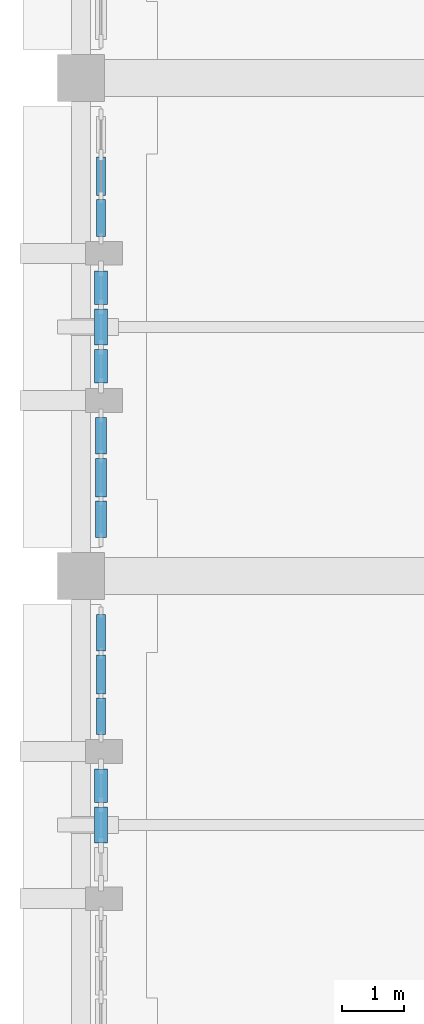
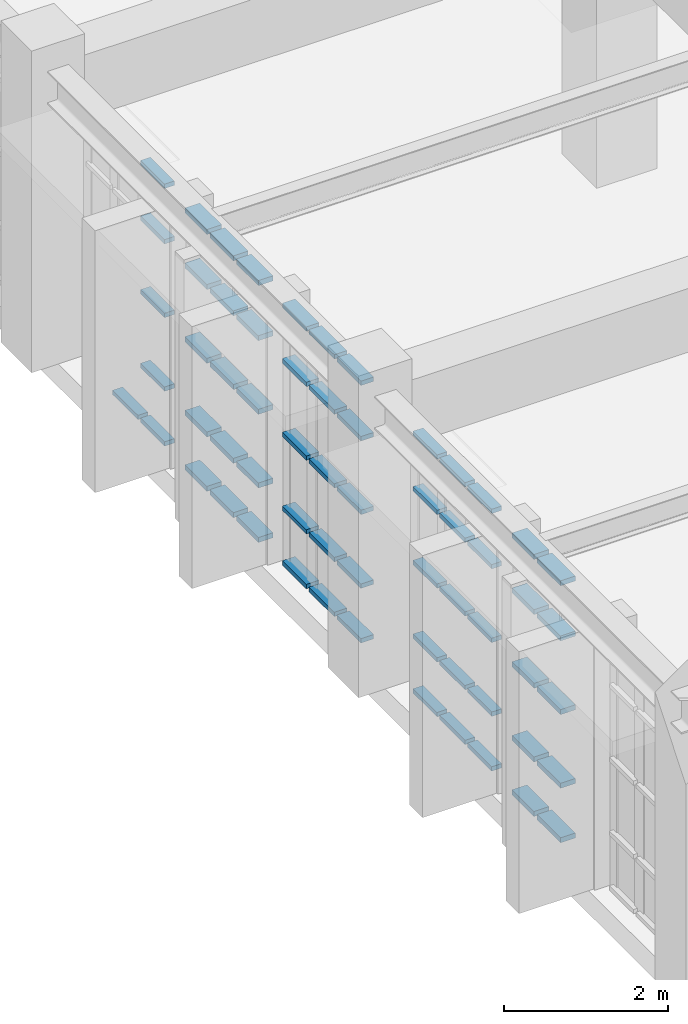
# One storey, part 49 of 155: 61 members, 5 elements without a shape of their own.
"""IFC4 building model written with IfcOpenShell, lengths in metres."""

from ifc_helpers import new_model, si_unit, direction, frame, origin, origin_2d, place, context, subcontext, project, spatial, rectangle, extrude, material, layer, layer_set, material_profile, profile_set, type_object, element, aggregate, save


model = new_model("IFC4")

# Units and contexts
model_context = context("Model", 3, precision=1e-05, world=origin(), true_north=direction((0.0, 1.0)))
body_context = subcontext(model_context, "Body", "Model", "MODEL_VIEW")
ifc_project = project(units=[si_unit("LENGTHUNIT", "METRE"), si_unit("AREAUNIT", "SQUARE_METRE"), si_unit("VOLUMEUNIT", "CUBIC_METRE"), si_unit("PLANEANGLEUNIT", "RADIAN"), si_unit("MASSUNIT", "GRAM", prefix="KILO")], contexts=[model_context])

# Site, building, storey
site_placement = place(None, origin())
site = spatial("IfcSite", under=ifc_project, at=site_placement, CompositionType="ELEMENT")
building_placement = place(site_placement, origin())
building = spatial("IfcBuilding", under=site, at=building_placement, Name="Tazarka Park Arena", CompositionType="ELEMENT")
storey_placement = place(building_placement, frame((0.0, 0.0, 5.39990234375)))
storey = spatial("IfcBuildingStorey", under=building, at=storey_placement, Name="L01", CompositionType="ELEMENT", Elevation=5.39990234375)

# Curtain wall, members
ifc_material_1 = material(Name="Aluminium and low-e glass", Category="aluminium")
ifc_layer_1 = layer(ifc_material_1, 0.179931640625, Name="Aluminium and low-e glass")
ifc_layer_set_1 = layer_set([ifc_layer_1], Name="Aluminium and low-e glass")
curtain_wall_type_1 = type_object("IfcCurtainWallType", Name="CW-03", PredefinedType="NOTDEFINED", material=ifc_layer_set_1)
curtain_wall_1_placement = place(storey_placement, origin())
curtain_wall_1 = element("IfcCurtainWall", 1, at=curtain_wall_1_placement, inside=storey, type_object=curtain_wall_type_1, Name="Curtain Wall CWA-L01-063", PredefinedType="NOTDEFINED")
ifc_material_2 = material(Name="Aluminium 6060-T66", Category="aluminium")
ifc_material_profile_1 = material_profile(ifc_material_2, rectangle(XDim=0.139892578125, YDim=0.06494140625, at=origin_2d()), Name="Aluminium 6060-T66")
ifc_profile_set_1 = profile_set([ifc_material_profile_1], Name="Aluminium 6060-T66")
member_type_1 = type_object("IfcMemberType", Name="CWT-01", PredefinedType="USERDEFINED", material=ifc_profile_set_1)
member_1_placement = place(storey_placement, frame((0.320068359375, 29.456787109375, 0.03271484375), z_axis=(0.0, 1.0, 0.0), x_axis=(-1.0, 0.0, 0.0)))
member_1 = element("IfcMember", 2, at=member_1_placement, type_object=member_type_1, Name="CW-03 transom 1.1", ObjectType="TRANSOM", PredefinedType="USERDEFINED", context=body_context, shape_type="SweptSolid", body=[
    extrude(rectangle(XDim=0.139892578125, YDim=0.06494140625, at=origin_2d()), origin(), (0.0, 0.0, 1.0), 0.5869140625),
])
member_2_placement = place(storey_placement, frame((0.320068359375, 29.456787109375, 0.85009765625), z_axis=(0.0, 1.0, 0.0), x_axis=(-1.0, 0.0, 0.0)))
member_2 = element("IfcMember", 3, at=member_2_placement, type_object=member_type_1, Name="CW-03 transom 1.2", ObjectType="TRANSOM", PredefinedType="USERDEFINED", context=body_context, shape_type="SweptSolid", body=[
    extrude(rectangle(XDim=0.139892578125, YDim=0.06494140625, at=origin_2d()), origin(), (0.0, 0.0, 1.0), 0.5869140625),
])
member_3_placement = place(storey_placement, frame((0.320068359375, 29.456787109375, 1.9501953125), z_axis=(0.0, 1.0, 0.0), x_axis=(-1.0, 0.0, 0.0)))
member_3 = element("IfcMember", 4, at=member_3_placement, type_object=member_type_1, Name="CW-03 transom 1.3", ObjectType="TRANSOM", PredefinedType="USERDEFINED", context=body_context, shape_type="SweptSolid", body=[
    extrude(rectangle(XDim=0.139892578125, YDim=0.06494140625, at=origin_2d()), origin(), (0.0, 0.0, 1.0), 0.5869140625),
])
member_4_placement = place(storey_placement, frame((0.320068359375, 29.456787109375, 3.050048828125), z_axis=(0.0, 1.0, 0.0), x_axis=(-1.0, 0.0, 0.0)))
member_4 = element("IfcMember", 5, at=member_4_placement, type_object=member_type_1, Name="CW-03 transom 1.4", ObjectType="TRANSOM", PredefinedType="USERDEFINED", context=body_context, shape_type="SweptSolid", body=[
    extrude(rectangle(XDim=0.139892578125, YDim=0.06494140625, at=origin_2d()), origin(), (0.0, 0.0, 1.0), 0.5869140625),
])
member_5_placement = place(storey_placement, frame((0.320068359375, 29.456787109375, 3.877685546875), z_axis=(0.0, 1.0, 0.0), x_axis=(-1.0, 0.0, 0.0)))
member_5 = element("IfcMember", 6, at=member_5_placement, type_object=member_type_1, Name="CW-03 transom 1.5", ObjectType="TRANSOM", PredefinedType="USERDEFINED", context=body_context, shape_type="SweptSolid", body=[
    extrude(rectangle(XDim=0.139892578125, YDim=0.06494140625, at=origin_2d()), origin(), (0.0, 0.0, 1.0), 0.5869140625),
])
member_6_placement = place(storey_placement, frame((0.320068359375, 30.108642578125, 0.03271484375), z_axis=(0.0, 1.0, 0.0), x_axis=(-1.0, 0.0, 0.0)))
member_6 = element("IfcMember", 7, at=member_6_placement, type_object=member_type_1, Name="CW-03 transom 2.1", ObjectType="TRANSOM", PredefinedType="USERDEFINED", context=body_context, shape_type="SweptSolid", body=[
    extrude(rectangle(XDim=0.139892578125, YDim=0.06494140625, at=origin_2d()), origin(), (0.0, 0.0, 1.0), 0.619384765625),
])
aggregate(curtain_wall_1, [member_1, member_2, member_3, member_4, member_5, member_6])

ifc_material_3 = material(Name="Aluminium and low-e glass", Category="aluminium")
ifc_layer_2 = layer(ifc_material_3, 0.179931640625, Name="Aluminium and low-e glass")
ifc_layer_set_2 = layer_set([ifc_layer_2], Name="Aluminium and low-e glass")
curtain_wall_type_2 = type_object("IfcCurtainWallType", Name="CW-06", PredefinedType="NOTDEFINED", material=ifc_layer_set_2)
curtain_wall_2_placement = place(storey_placement, origin())
curtain_wall_2 = element("IfcCurtainWall", 8, at=curtain_wall_2_placement, inside=storey, type_object=curtain_wall_type_2, Name="Curtain Wall CWA-L01-066", PredefinedType="NOTDEFINED")
member_7_placement = place(storey_placement, frame((0.320068359375, 21.456787109375, 0.03271484375), z_axis=(0.0, 1.0, 0.0), x_axis=(-1.0, 0.0, 0.0)))
member_7 = element("IfcMember", 9, at=member_7_placement, type_object=member_type_1, Name="CW-06 transom 1.1", ObjectType="TRANSOM", PredefinedType="USERDEFINED", context=body_context, shape_type="SweptSolid", body=[
    extrude(rectangle(XDim=0.139892578125, YDim=0.06494140625, at=origin_2d()), origin(), (0.0, 0.0, 1.0), 0.5869140625),
])
member_8_placement = place(storey_placement, frame((0.320068359375, 21.456787109375, 0.85009765625), z_axis=(0.0, 1.0, 0.0), x_axis=(-1.0, 0.0, 0.0)))
member_8 = element("IfcMember", 10, at=member_8_placement, type_object=member_type_1, Name="CW-06 transom 1.2", ObjectType="TRANSOM", PredefinedType="USERDEFINED", context=body_context, shape_type="SweptSolid", body=[
    extrude(rectangle(XDim=0.139892578125, YDim=0.06494140625, at=origin_2d()), origin(), (0.0, 0.0, 1.0), 0.5869140625),
])
member_9_placement = place(storey_placement, frame((0.320068359375, 21.456787109375, 1.9501953125), z_axis=(0.0, 1.0, 0.0), x_axis=(-1.0, 0.0, 0.0)))
member_9 = element("IfcMember", 11, at=member_9_placement, type_object=member_type_1, Name="CW-06 transom 1.3", ObjectType="TRANSOM", PredefinedType="USERDEFINED", context=body_context, shape_type="SweptSolid", body=[
    extrude(rectangle(XDim=0.139892578125, YDim=0.06494140625, at=origin_2d()), origin(), (0.0, 0.0, 1.0), 0.5869140625),
])
member_10_placement = place(storey_placement, frame((0.320068359375, 21.456787109375, 3.050048828125), z_axis=(0.0, 1.0, 0.0), x_axis=(-1.0, 0.0, 0.0)))
member_10 = element("IfcMember", 12, at=member_10_placement, type_object=member_type_1, Name="CW-06 transom 1.4", ObjectType="TRANSOM", PredefinedType="USERDEFINED", context=body_context, shape_type="SweptSolid", body=[
    extrude(rectangle(XDim=0.139892578125, YDim=0.06494140625, at=origin_2d()), origin(), (0.0, 0.0, 1.0), 0.5869140625),
])
member_11_placement = place(storey_placement, frame((0.320068359375, 21.456787109375, 3.877685546875), z_axis=(0.0, 1.0, 0.0), x_axis=(-1.0, 0.0, 0.0)))
member_11 = element("IfcMember", 13, at=member_11_placement, type_object=member_type_1, Name="CW-06 transom 1.5", ObjectType="TRANSOM", PredefinedType="USERDEFINED", context=body_context, shape_type="SweptSolid", body=[
    extrude(rectangle(XDim=0.139892578125, YDim=0.06494140625, at=origin_2d()), origin(), (0.0, 0.0, 1.0), 0.5869140625),
])
member_12_placement = place(storey_placement, frame((0.320068359375, 22.108642578125, 0.03271484375), z_axis=(0.0, 1.0, 0.0), x_axis=(-1.0, 0.0, 0.0)))
member_12 = element("IfcMember", 14, at=member_12_placement, type_object=member_type_1, Name="CW-06 transom 2.1", ObjectType="TRANSOM", PredefinedType="USERDEFINED", context=body_context, shape_type="SweptSolid", body=[
    extrude(rectangle(XDim=0.139892578125, YDim=0.06494140625, at=origin_2d()), origin(), (0.0, 0.0, 1.0), 0.619384765625),
])
member_13_placement = place(storey_placement, frame((0.320068359375, 22.108642578125, 0.85009765625), z_axis=(0.0, 1.0, 0.0), x_axis=(-1.0, 0.0, 0.0)))
member_13 = element("IfcMember", 15, at=member_13_placement, type_object=member_type_1, Name="CW-06 transom 2.2", ObjectType="TRANSOM", PredefinedType="USERDEFINED", context=body_context, shape_type="SweptSolid", body=[
    extrude(rectangle(XDim=0.139892578125, YDim=0.06494140625, at=origin_2d()), origin(), (0.0, 0.0, 1.0), 0.619384765625),
])
member_14_placement = place(storey_placement, frame((0.320068359375, 22.108642578125, 1.9501953125), z_axis=(0.0, 1.0, 0.0), x_axis=(-1.0, 0.0, 0.0)))
member_14 = element("IfcMember", 16, at=member_14_placement, type_object=member_type_1, Name="CW-06 transom 2.3", ObjectType="TRANSOM", PredefinedType="USERDEFINED", context=body_context, shape_type="SweptSolid", body=[
    extrude(rectangle(XDim=0.139892578125, YDim=0.06494140625, at=origin_2d()), origin(), (0.0, 0.0, 1.0), 0.619384765625),
])
member_15_placement = place(storey_placement, frame((0.320068359375, 22.108642578125, 3.050048828125), z_axis=(0.0, 1.0, 0.0), x_axis=(-1.0, 0.0, 0.0)))
member_15 = element("IfcMember", 17, at=member_15_placement, type_object=member_type_1, Name="CW-06 transom 2.4", ObjectType="TRANSOM", PredefinedType="USERDEFINED", context=body_context, shape_type="SweptSolid", body=[
    extrude(rectangle(XDim=0.139892578125, YDim=0.06494140625, at=origin_2d()), origin(), (0.0, 0.0, 1.0), 0.619384765625),
])
member_16_placement = place(storey_placement, frame((0.320068359375, 22.108642578125, 3.877685546875), z_axis=(0.0, 1.0, 0.0), x_axis=(-1.0, 0.0, 0.0)))
member_16 = element("IfcMember", 18, at=member_16_placement, type_object=member_type_1, Name="CW-06 transom 2.5", ObjectType="TRANSOM", PredefinedType="USERDEFINED", context=body_context, shape_type="SweptSolid", body=[
    extrude(rectangle(XDim=0.139892578125, YDim=0.06494140625, at=origin_2d()), origin(), (0.0, 0.0, 1.0), 0.619384765625),
])
member_17_placement = place(storey_placement, frame((0.320068359375, 22.79296875, 0.03271484375), z_axis=(0.0, 1.0, 0.0), x_axis=(-1.0, 0.0, 0.0)))
member_17 = element("IfcMember", 19, at=member_17_placement, type_object=member_type_1, Name="CW-06 transom 3.1", ObjectType="TRANSOM", PredefinedType="USERDEFINED", context=body_context, shape_type="SweptSolid", body=[
    extrude(rectangle(XDim=0.139892578125, YDim=0.06494140625, at=origin_2d()), origin(), (0.0, 0.0, 1.0), 0.5869140625),
])
member_18_placement = place(storey_placement, frame((0.320068359375, 22.79296875, 0.85009765625), z_axis=(0.0, 1.0, 0.0), x_axis=(-1.0, 0.0, 0.0)))
member_18 = element("IfcMember", 20, at=member_18_placement, type_object=member_type_1, Name="CW-06 transom 3.2", ObjectType="TRANSOM", PredefinedType="USERDEFINED", context=body_context, shape_type="SweptSolid", body=[
    extrude(rectangle(XDim=0.139892578125, YDim=0.06494140625, at=origin_2d()), origin(), (0.0, 0.0, 1.0), 0.5869140625),
])
member_19_placement = place(storey_placement, frame((0.320068359375, 22.79296875, 1.9501953125), z_axis=(0.0, 1.0, 0.0), x_axis=(-1.0, 0.0, 0.0)))
member_19 = element("IfcMember", 21, at=member_19_placement, type_object=member_type_1, Name="CW-06 transom 3.3", ObjectType="TRANSOM", PredefinedType="USERDEFINED", context=body_context, shape_type="SweptSolid", body=[
    extrude(rectangle(XDim=0.139892578125, YDim=0.06494140625, at=origin_2d()), origin(), (0.0, 0.0, 1.0), 0.5869140625),
])
member_20_placement = place(storey_placement, frame((0.320068359375, 22.79296875, 3.050048828125), z_axis=(0.0, 1.0, 0.0), x_axis=(-1.0, 0.0, 0.0)))
member_20 = element("IfcMember", 22, at=member_20_placement, type_object=member_type_1, Name="CW-06 transom 3.4", ObjectType="TRANSOM", PredefinedType="USERDEFINED", context=body_context, shape_type="SweptSolid", body=[
    extrude(rectangle(XDim=0.139892578125, YDim=0.06494140625, at=origin_2d()), origin(), (0.0, 0.0, 1.0), 0.5869140625),
])
member_21_placement = place(storey_placement, frame((0.320068359375, 22.79296875, 3.877685546875), z_axis=(0.0, 1.0, 0.0), x_axis=(-1.0, 0.0, 0.0)))
member_21 = element("IfcMember", 23, at=member_21_placement, type_object=member_type_1, Name="CW-06 transom 3.5", ObjectType="TRANSOM", PredefinedType="USERDEFINED", context=body_context, shape_type="SweptSolid", body=[
    extrude(rectangle(XDim=0.139892578125, YDim=0.06494140625, at=origin_2d()), origin(), (0.0, 0.0, 1.0), 0.5869140625),
])
aggregate(curtain_wall_2, [member_7, member_8, member_9, member_10, member_11, member_12, member_13, member_14, member_15, member_16, member_17, member_18, member_19, member_20, member_21])

ifc_material_4 = material(Name="Aluminium and low-e glass", Category="aluminium")
ifc_layer_3 = layer(ifc_material_4, 0.179931640625, Name="Aluminium and low-e glass")
ifc_layer_set_3 = layer_set([ifc_layer_3], Name="Aluminium and low-e glass")
curtain_wall_type_3 = type_object("IfcCurtainWallType", Name="CW-01", PredefinedType="NOTDEFINED", material=ifc_layer_set_3)
curtain_wall_3_placement = place(storey_placement, origin())
curtain_wall_3 = element("IfcCurtainWall", 24, at=curtain_wall_3_placement, inside=storey, type_object=curtain_wall_type_3, Name="Curtain Wall CWA-L01-061", PredefinedType="NOTDEFINED")
ifc_material_5 = material(Name="Aluminium 6060-T66", Category="aluminium")
ifc_material_profile_2 = material_profile(ifc_material_5, rectangle(XDim=0.179931640625, YDim=0.06494140625, at=origin_2d()), Name="Aluminium 6060-T66")
ifc_profile_set_2 = profile_set([ifc_material_profile_2], Name="Aluminium 6060-T66")
member_type_2 = type_object("IfcMemberType", Name="CWT-02", PredefinedType="USERDEFINED", material=ifc_profile_set_2)
member_22_placement = place(storey_placement, frame((0.320068359375, 24.6201171875, 0.03271484375), z_axis=(0.0, 1.0, 0.0), x_axis=(-1.0, 0.0, 0.0)))
member_22 = element("IfcMember", 25, at=member_22_placement, type_object=member_type_2, Name="CW-01 transom 1.1", ObjectType="TRANSOM", PredefinedType="USERDEFINED", context=body_context, shape_type="SweptSolid", body=[
    extrude(rectangle(XDim=0.179931640625, YDim=0.06494140625, at=origin_2d()), origin(), (0.0, 0.0, 1.0), 0.5869140625),
])
member_23_placement = place(storey_placement, frame((0.320068359375, 24.6201171875, 0.85009765625), z_axis=(0.0, 1.0, 0.0), x_axis=(-1.0, 0.0, 0.0)))
member_23 = element("IfcMember", 26, at=member_23_placement, type_object=member_type_2, Name="CW-01 transom 1.2", ObjectType="TRANSOM", PredefinedType="USERDEFINED", context=body_context, shape_type="SweptSolid", body=[
    extrude(rectangle(XDim=0.179931640625, YDim=0.06494140625, at=origin_2d()), origin(), (0.0, 0.0, 1.0), 0.5869140625),
])
member_24_placement = place(storey_placement, frame((0.320068359375, 24.6201171875, 1.9501953125), z_axis=(0.0, 1.0, 0.0), x_axis=(-1.0, 0.0, 0.0)))
member_24 = element("IfcMember", 27, at=member_24_placement, type_object=member_type_2, Name="CW-01 transom 1.3", ObjectType="TRANSOM", PredefinedType="USERDEFINED", context=body_context, shape_type="SweptSolid", body=[
    extrude(rectangle(XDim=0.179931640625, YDim=0.06494140625, at=origin_2d()), origin(), (0.0, 0.0, 1.0), 0.5869140625),
])
member_25_placement = place(storey_placement, frame((0.320068359375, 24.6201171875, 3.050048828125), z_axis=(0.0, 1.0, 0.0), x_axis=(-1.0, 0.0, 0.0)))
member_25 = element("IfcMember", 28, at=member_25_placement, type_object=member_type_2, Name="CW-01 transom 1.4", ObjectType="TRANSOM", PredefinedType="USERDEFINED", context=body_context, shape_type="SweptSolid", body=[
    extrude(rectangle(XDim=0.179931640625, YDim=0.06494140625, at=origin_2d()), origin(), (0.0, 0.0, 1.0), 0.5869140625),
])
member_26_placement = place(storey_placement, frame((0.320068359375, 24.6201171875, 3.877685546875), z_axis=(0.0, 1.0, 0.0), x_axis=(-1.0, 0.0, 0.0)))
member_26 = element("IfcMember", 29, at=member_26_placement, type_object=member_type_2, Name="CW-01 transom 1.5", ObjectType="TRANSOM", PredefinedType="USERDEFINED", context=body_context, shape_type="SweptSolid", body=[
    extrude(rectangle(XDim=0.179931640625, YDim=0.06494140625, at=origin_2d()), origin(), (0.0, 0.0, 1.0), 0.5869140625),
])
member_27_placement = place(storey_placement, frame((0.320068359375, 25.27197265625, 0.03271484375), z_axis=(0.0, 1.0, 0.0), x_axis=(-1.0, 0.0, 0.0)))
member_27 = element("IfcMember", 30, at=member_27_placement, type_object=member_type_2, Name="CW-01 transom 2.1", ObjectType="TRANSOM", PredefinedType="USERDEFINED", context=body_context, shape_type="SweptSolid", body=[
    extrude(rectangle(XDim=0.179931640625, YDim=0.06494140625, at=origin_2d()), origin(), (0.0, 0.0, 1.0), 0.619384765625),
])
member_28_placement = place(storey_placement, frame((0.320068359375, 25.27197265625, 0.85009765625), z_axis=(0.0, 1.0, 0.0), x_axis=(-1.0, 0.0, 0.0)))
member_28 = element("IfcMember", 31, at=member_28_placement, type_object=member_type_2, Name="CW-01 transom 2.2", ObjectType="TRANSOM", PredefinedType="USERDEFINED", context=body_context, shape_type="SweptSolid", body=[
    extrude(rectangle(XDim=0.179931640625, YDim=0.06494140625, at=origin_2d()), origin(), (0.0, 0.0, 1.0), 0.619384765625),
])
member_29_placement = place(storey_placement, frame((0.320068359375, 25.27197265625, 1.9501953125), z_axis=(0.0, 1.0, 0.0), x_axis=(-1.0, 0.0, 0.0)))
member_29 = element("IfcMember", 32, at=member_29_placement, type_object=member_type_2, Name="CW-01 transom 2.3", ObjectType="TRANSOM", PredefinedType="USERDEFINED", context=body_context, shape_type="SweptSolid", body=[
    extrude(rectangle(XDim=0.179931640625, YDim=0.06494140625, at=origin_2d()), origin(), (0.0, 0.0, 1.0), 0.619384765625),
])
member_30_placement = place(storey_placement, frame((0.320068359375, 25.27197265625, 3.050048828125), z_axis=(0.0, 1.0, 0.0), x_axis=(-1.0, 0.0, 0.0)))
member_30 = element("IfcMember", 33, at=member_30_placement, type_object=member_type_2, Name="CW-01 transom 2.4", ObjectType="TRANSOM", PredefinedType="USERDEFINED", context=body_context, shape_type="SweptSolid", body=[
    extrude(rectangle(XDim=0.179931640625, YDim=0.06494140625, at=origin_2d()), origin(), (0.0, 0.0, 1.0), 0.619384765625),
])
member_31_placement = place(storey_placement, frame((0.320068359375, 25.27197265625, 3.877685546875), z_axis=(0.0, 1.0, 0.0), x_axis=(-1.0, 0.0, 0.0)))
member_31 = element("IfcMember", 34, at=member_31_placement, type_object=member_type_2, Name="CW-01 transom 2.5", ObjectType="TRANSOM", PredefinedType="USERDEFINED", context=body_context, shape_type="SweptSolid", body=[
    extrude(rectangle(XDim=0.179931640625, YDim=0.06494140625, at=origin_2d()), origin(), (0.0, 0.0, 1.0), 0.619384765625),
])
member_32_placement = place(storey_placement, frame((0.320068359375, 25.956298828125, 0.03271484375), z_axis=(0.0, 1.0, 0.0), x_axis=(-1.0, 0.0, 0.0)))
member_32 = element("IfcMember", 35, at=member_32_placement, type_object=member_type_2, Name="CW-01 transom 3.1", ObjectType="TRANSOM", PredefinedType="USERDEFINED", context=body_context, shape_type="SweptSolid", body=[
    extrude(rectangle(XDim=0.179931640625, YDim=0.06494140625, at=origin_2d()), origin(), (0.0, 0.0, 1.0), 0.5869140625),
])
member_33_placement = place(storey_placement, frame((0.320068359375, 25.956298828125, 0.85009765625), z_axis=(0.0, 1.0, 0.0), x_axis=(-1.0, 0.0, 0.0)))
member_33 = element("IfcMember", 36, at=member_33_placement, type_object=member_type_2, Name="CW-01 transom 3.2", ObjectType="TRANSOM", PredefinedType="USERDEFINED", context=body_context, shape_type="SweptSolid", body=[
    extrude(rectangle(XDim=0.179931640625, YDim=0.06494140625, at=origin_2d()), origin(), (0.0, 0.0, 1.0), 0.5869140625),
])
member_34_placement = place(storey_placement, frame((0.320068359375, 25.956298828125, 1.9501953125), z_axis=(0.0, 1.0, 0.0), x_axis=(-1.0, 0.0, 0.0)))
member_34 = element("IfcMember", 37, at=member_34_placement, type_object=member_type_2, Name="CW-01 transom 3.3", ObjectType="TRANSOM", PredefinedType="USERDEFINED", context=body_context, shape_type="SweptSolid", body=[
    extrude(rectangle(XDim=0.179931640625, YDim=0.06494140625, at=origin_2d()), origin(), (0.0, 0.0, 1.0), 0.5869140625),
])
member_35_placement = place(storey_placement, frame((0.320068359375, 25.956298828125, 3.050048828125), z_axis=(0.0, 1.0, 0.0), x_axis=(-1.0, 0.0, 0.0)))
member_35 = element("IfcMember", 38, at=member_35_placement, type_object=member_type_2, Name="CW-01 transom 3.4", ObjectType="TRANSOM", PredefinedType="USERDEFINED", context=body_context, shape_type="SweptSolid", body=[
    extrude(rectangle(XDim=0.179931640625, YDim=0.06494140625, at=origin_2d()), origin(), (0.0, 0.0, 1.0), 0.5869140625),
])
member_36_placement = place(storey_placement, frame((0.320068359375, 25.956298828125, 3.877685546875), z_axis=(0.0, 1.0, 0.0), x_axis=(-1.0, 0.0, 0.0)))
member_36 = element("IfcMember", 39, at=member_36_placement, type_object=member_type_2, Name="CW-01 transom 3.5", ObjectType="TRANSOM", PredefinedType="USERDEFINED", context=body_context, shape_type="SweptSolid", body=[
    extrude(rectangle(XDim=0.179931640625, YDim=0.06494140625, at=origin_2d()), origin(), (0.0, 0.0, 1.0), 0.5869140625),
])
aggregate(curtain_wall_3, [member_22, member_23, member_24, member_25, member_26, member_27, member_28, member_29, member_30, member_31, member_32, member_33, member_34, member_35, member_36])

ifc_material_6 = material(Name="Aluminium and low-e glass", Category="aluminium")
ifc_layer_4 = layer(ifc_material_6, 0.179931640625, Name="Aluminium and low-e glass")
ifc_layer_set_4 = layer_set([ifc_layer_4], Name="Aluminium and low-e glass")
curtain_wall_type_4 = type_object("IfcCurtainWallType", Name="CW-02", PredefinedType="NOTDEFINED", material=ifc_layer_set_4)
curtain_wall_4_placement = place(storey_placement, origin())
curtain_wall_4 = element("IfcCurtainWall", 40, at=curtain_wall_4_placement, inside=storey, type_object=curtain_wall_type_4, Name="Curtain Wall CWA-L01-062", PredefinedType="NOTDEFINED")
ifc_material_7 = material(Name="Aluminium 6060-T66", Category="aluminium")
ifc_material_profile_3 = material_profile(ifc_material_7, rectangle(XDim=0.2099609375, YDim=0.074951171875, at=origin_2d()), Name="Aluminium 6060-T66")
ifc_profile_set_3 = profile_set([ifc_material_profile_3], Name="Aluminium 6060-T66")
member_type_3 = type_object("IfcMemberType", Name="CWT-03", PredefinedType="USERDEFINED", material=ifc_profile_set_3)
member_37_placement = place(storey_placement, frame((0.320068359375, 27.103271484375, 0.03759765625), z_axis=(0.0, 1.0, 0.0), x_axis=(-1.0, 0.0, 0.0)))
member_37 = element("IfcMember", 41, at=member_37_placement, type_object=member_type_3, Name="CW-02 transom 1.1", ObjectType="TRANSOM", PredefinedType="USERDEFINED", context=body_context, shape_type="SweptSolid", body=[
    extrude(rectangle(XDim=0.2099609375, YDim=0.074951171875, at=origin_2d()), origin(), (0.0, 0.0, 1.0), 0.535400390625),
])
member_38_placement = place(storey_placement, frame((0.320068359375, 27.103271484375, 0.85009765625), z_axis=(0.0, 1.0, 0.0), x_axis=(-1.0, 0.0, 0.0)))
member_38 = element("IfcMember", 42, at=member_38_placement, type_object=member_type_3, Name="CW-02 transom 1.2", ObjectType="TRANSOM", PredefinedType="USERDEFINED", context=body_context, shape_type="SweptSolid", body=[
    extrude(rectangle(XDim=0.2099609375, YDim=0.074951171875, at=origin_2d()), origin(), (0.0, 0.0, 1.0), 0.535400390625),
])
member_39_placement = place(storey_placement, frame((0.320068359375, 27.103271484375, 1.9501953125), z_axis=(0.0, 1.0, 0.0), x_axis=(-1.0, 0.0, 0.0)))
member_39 = element("IfcMember", 43, at=member_39_placement, type_object=member_type_3, Name="CW-02 transom 1.3", ObjectType="TRANSOM", PredefinedType="USERDEFINED", context=body_context, shape_type="SweptSolid", body=[
    extrude(rectangle(XDim=0.2099609375, YDim=0.074951171875, at=origin_2d()), origin(), (0.0, 0.0, 1.0), 0.535400390625),
])
member_40_placement = place(storey_placement, frame((0.320068359375, 27.103271484375, 3.050048828125), z_axis=(0.0, 1.0, 0.0), x_axis=(-1.0, 0.0, 0.0)))
member_40 = element("IfcMember", 44, at=member_40_placement, type_object=member_type_3, Name="CW-02 transom 1.4", ObjectType="TRANSOM", PredefinedType="USERDEFINED", context=body_context, shape_type="SweptSolid", body=[
    extrude(rectangle(XDim=0.2099609375, YDim=0.074951171875, at=origin_2d()), origin(), (0.0, 0.0, 1.0), 0.535400390625),
])
member_41_placement = place(storey_placement, frame((0.320068359375, 27.103271484375, 3.87255859375), z_axis=(0.0, 1.0, 0.0), x_axis=(-1.0, 0.0, 0.0)))
member_41 = element("IfcMember", 45, at=member_41_placement, type_object=member_type_3, Name="CW-02 transom 1.5", ObjectType="TRANSOM", PredefinedType="USERDEFINED", context=body_context, shape_type="SweptSolid", body=[
    extrude(rectangle(XDim=0.2099609375, YDim=0.074951171875, at=origin_2d()), origin(), (0.0, 0.0, 1.0), 0.535400390625),
])
member_42_placement = place(storey_placement, frame((0.320068359375, 27.713623046875, 0.03759765625), z_axis=(0.0, 1.0, 0.0), x_axis=(-1.0, 0.0, 0.0)))
member_42 = element("IfcMember", 46, at=member_42_placement, type_object=member_type_3, Name="CW-02 transom 2.1", ObjectType="TRANSOM", PredefinedType="USERDEFINED", context=body_context, shape_type="SweptSolid", body=[
    extrude(rectangle(XDim=0.2099609375, YDim=0.074951171875, at=origin_2d()), origin(), (0.0, 0.0, 1.0), 0.57275390625),
])
member_43_placement = place(storey_placement, frame((0.320068359375, 27.713623046875, 0.85009765625), z_axis=(0.0, 1.0, 0.0), x_axis=(-1.0, 0.0, 0.0)))
member_43 = element("IfcMember", 47, at=member_43_placement, type_object=member_type_3, Name="CW-02 transom 2.2", ObjectType="TRANSOM", PredefinedType="USERDEFINED", context=body_context, shape_type="SweptSolid", body=[
    extrude(rectangle(XDim=0.2099609375, YDim=0.074951171875, at=origin_2d()), origin(), (0.0, 0.0, 1.0), 0.57275390625),
])
member_44_placement = place(storey_placement, frame((0.320068359375, 27.713623046875, 1.9501953125), z_axis=(0.0, 1.0, 0.0), x_axis=(-1.0, 0.0, 0.0)))
member_44 = element("IfcMember", 48, at=member_44_placement, type_object=member_type_3, Name="CW-02 transom 2.3", ObjectType="TRANSOM", PredefinedType="USERDEFINED", context=body_context, shape_type="SweptSolid", body=[
    extrude(rectangle(XDim=0.2099609375, YDim=0.074951171875, at=origin_2d()), origin(), (0.0, 0.0, 1.0), 0.57275390625),
])
member_45_placement = place(storey_placement, frame((0.320068359375, 27.713623046875, 3.050048828125), z_axis=(0.0, 1.0, 0.0), x_axis=(-1.0, 0.0, 0.0)))
member_45 = element("IfcMember", 49, at=member_45_placement, type_object=member_type_3, Name="CW-02 transom 2.4", ObjectType="TRANSOM", PredefinedType="USERDEFINED", context=body_context, shape_type="SweptSolid", body=[
    extrude(rectangle(XDim=0.2099609375, YDim=0.074951171875, at=origin_2d()), origin(), (0.0, 0.0, 1.0), 0.57275390625),
])
member_46_placement = place(storey_placement, frame((0.320068359375, 27.713623046875, 3.87255859375), z_axis=(0.0, 1.0, 0.0), x_axis=(-1.0, 0.0, 0.0)))
member_46 = element("IfcMember", 50, at=member_46_placement, type_object=member_type_3, Name="CW-02 transom 2.5", ObjectType="TRANSOM", PredefinedType="USERDEFINED", context=body_context, shape_type="SweptSolid", body=[
    extrude(rectangle(XDim=0.2099609375, YDim=0.074951171875, at=origin_2d()), origin(), (0.0, 0.0, 1.0), 0.57275390625),
])
member_47_placement = place(storey_placement, frame((0.320068359375, 28.361328125, 0.03759765625), z_axis=(0.0, 1.0, 0.0), x_axis=(-1.0, 0.0, 0.0)))
member_47 = element("IfcMember", 51, at=member_47_placement, type_object=member_type_3, Name="CW-02 transom 3.1", ObjectType="TRANSOM", PredefinedType="USERDEFINED", context=body_context, shape_type="SweptSolid", body=[
    extrude(rectangle(XDim=0.2099609375, YDim=0.074951171875, at=origin_2d()), origin(), (0.0, 0.0, 1.0), 0.535400390625),
])
member_48_placement = place(storey_placement, frame((0.320068359375, 28.361328125, 0.85009765625), z_axis=(0.0, 1.0, 0.0), x_axis=(-1.0, 0.0, 0.0)))
member_48 = element("IfcMember", 52, at=member_48_placement, type_object=member_type_3, Name="CW-02 transom 3.2", ObjectType="TRANSOM", PredefinedType="USERDEFINED", context=body_context, shape_type="SweptSolid", body=[
    extrude(rectangle(XDim=0.2099609375, YDim=0.074951171875, at=origin_2d()), origin(), (0.0, 0.0, 1.0), 0.535400390625),
])
member_49_placement = place(storey_placement, frame((0.320068359375, 28.361328125, 1.9501953125), z_axis=(0.0, 1.0, 0.0), x_axis=(-1.0, 0.0, 0.0)))
member_49 = element("IfcMember", 53, at=member_49_placement, type_object=member_type_3, Name="CW-02 transom 3.3", ObjectType="TRANSOM", PredefinedType="USERDEFINED", context=body_context, shape_type="SweptSolid", body=[
    extrude(rectangle(XDim=0.2099609375, YDim=0.074951171875, at=origin_2d()), origin(), (0.0, 0.0, 1.0), 0.535400390625),
])
member_50_placement = place(storey_placement, frame((0.320068359375, 28.361328125, 3.050048828125), z_axis=(0.0, 1.0, 0.0), x_axis=(-1.0, 0.0, 0.0)))
member_50 = element("IfcMember", 54, at=member_50_placement, type_object=member_type_3, Name="CW-02 transom 3.4", ObjectType="TRANSOM", PredefinedType="USERDEFINED", context=body_context, shape_type="SweptSolid", body=[
    extrude(rectangle(XDim=0.2099609375, YDim=0.074951171875, at=origin_2d()), origin(), (0.0, 0.0, 1.0), 0.535400390625),
])
member_51_placement = place(storey_placement, frame((0.320068359375, 28.361328125, 3.87255859375), z_axis=(0.0, 1.0, 0.0), x_axis=(-1.0, 0.0, 0.0)))
member_51 = element("IfcMember", 55, at=member_51_placement, type_object=member_type_3, Name="CW-02 transom 3.5", ObjectType="TRANSOM", PredefinedType="USERDEFINED", context=body_context, shape_type="SweptSolid", body=[
    extrude(rectangle(XDim=0.2099609375, YDim=0.074951171875, at=origin_2d()), origin(), (0.0, 0.0, 1.0), 0.535400390625),
])
aggregate(curtain_wall_4, [member_37, member_38, member_39, member_40, member_41, member_42, member_43, member_44, member_45, member_46, member_47, member_48, member_49, member_50, member_51])

ifc_material_8 = material(Name="Aluminium and low-e glass", Category="aluminium")
ifc_layer_5 = layer(ifc_material_8, 0.179931640625, Name="Aluminium and low-e glass")
ifc_layer_set_5 = layer_set([ifc_layer_5], Name="Aluminium and low-e glass")
curtain_wall_type_5 = type_object("IfcCurtainWallType", Name="CW-05", PredefinedType="NOTDEFINED", material=ifc_layer_set_5)
curtain_wall_5_placement = place(storey_placement, origin())
curtain_wall_5 = element("IfcCurtainWall", 56, at=curtain_wall_5_placement, inside=storey, type_object=curtain_wall_type_5, Name="Curtain Wall CWA-L01-065", PredefinedType="NOTDEFINED")
member_52_placement = place(storey_placement, frame((0.320068359375, 19.713623046875, 0.03759765625), z_axis=(0.0, 1.0, 0.0), x_axis=(-1.0, 0.0, 0.0)))
member_52 = element("IfcMember", 57, at=member_52_placement, type_object=member_type_3, Name="CW-05 transom 2.1", ObjectType="TRANSOM", PredefinedType="USERDEFINED", context=body_context, shape_type="SweptSolid", body=[
    extrude(rectangle(XDim=0.2099609375, YDim=0.074951171875, at=origin_2d()), origin(), (0.0, 0.0, 1.0), 0.57275390625),
])
member_53_placement = place(storey_placement, frame((0.320068359375, 19.713623046875, 0.85009765625), z_axis=(0.0, 1.0, 0.0), x_axis=(-1.0, 0.0, 0.0)))
member_53 = element("IfcMember", 58, at=member_53_placement, type_object=member_type_3, Name="CW-05 transom 2.2", ObjectType="TRANSOM", PredefinedType="USERDEFINED", context=body_context, shape_type="SweptSolid", body=[
    extrude(rectangle(XDim=0.2099609375, YDim=0.074951171875, at=origin_2d()), origin(), (0.0, 0.0, 1.0), 0.57275390625),
])
member_54_placement = place(storey_placement, frame((0.320068359375, 19.713623046875, 1.9501953125), z_axis=(0.0, 1.0, 0.0), x_axis=(-1.0, 0.0, 0.0)))
member_54 = element("IfcMember", 59, at=member_54_placement, type_object=member_type_3, Name="CW-05 transom 2.3", ObjectType="TRANSOM", PredefinedType="USERDEFINED", context=body_context, shape_type="SweptSolid", body=[
    extrude(rectangle(XDim=0.2099609375, YDim=0.074951171875, at=origin_2d()), origin(), (0.0, 0.0, 1.0), 0.57275390625),
])
member_55_placement = place(storey_placement, frame((0.320068359375, 19.713623046875, 3.050048828125), z_axis=(0.0, 1.0, 0.0), x_axis=(-1.0, 0.0, 0.0)))
member_55 = element("IfcMember", 60, at=member_55_placement, type_object=member_type_3, Name="CW-05 transom 2.4", ObjectType="TRANSOM", PredefinedType="USERDEFINED", context=body_context, shape_type="SweptSolid", body=[
    extrude(rectangle(XDim=0.2099609375, YDim=0.074951171875, at=origin_2d()), origin(), (0.0, 0.0, 1.0), 0.57275390625),
])
member_56_placement = place(storey_placement, frame((0.320068359375, 19.713623046875, 3.87255859375), z_axis=(0.0, 1.0, 0.0), x_axis=(-1.0, 0.0, 0.0)))
member_56 = element("IfcMember", 61, at=member_56_placement, type_object=member_type_3, Name="CW-05 transom 2.5", ObjectType="TRANSOM", PredefinedType="USERDEFINED", context=body_context, shape_type="SweptSolid", body=[
    extrude(rectangle(XDim=0.2099609375, YDim=0.074951171875, at=origin_2d()), origin(), (0.0, 0.0, 1.0), 0.57275390625),
])
member_57_placement = place(storey_placement, frame((0.320068359375, 20.361328125, 0.03759765625), z_axis=(0.0, 1.0, 0.0), x_axis=(-1.0, 0.0, 0.0)))
member_57 = element("IfcMember", 62, at=member_57_placement, type_object=member_type_3, Name="CW-05 transom 3.1", ObjectType="TRANSOM", PredefinedType="USERDEFINED", context=body_context, shape_type="SweptSolid", body=[
    extrude(rectangle(XDim=0.2099609375, YDim=0.074951171875, at=origin_2d()), origin(), (0.0, 0.0, 1.0), 0.535400390625),
])
member_58_placement = place(storey_placement, frame((0.320068359375, 20.361328125, 0.85009765625), z_axis=(0.0, 1.0, 0.0), x_axis=(-1.0, 0.0, 0.0)))
member_58 = element("IfcMember", 63, at=member_58_placement, type_object=member_type_3, Name="CW-05 transom 3.2", ObjectType="TRANSOM", PredefinedType="USERDEFINED", context=body_context, shape_type="SweptSolid", body=[
    extrude(rectangle(XDim=0.2099609375, YDim=0.074951171875, at=origin_2d()), origin(), (0.0, 0.0, 1.0), 0.535400390625),
])
member_59_placement = place(storey_placement, frame((0.320068359375, 20.361328125, 1.9501953125), z_axis=(0.0, 1.0, 0.0), x_axis=(-1.0, 0.0, 0.0)))
member_59 = element("IfcMember", 64, at=member_59_placement, type_object=member_type_3, Name="CW-05 transom 3.3", ObjectType="TRANSOM", PredefinedType="USERDEFINED", context=body_context, shape_type="SweptSolid", body=[
    extrude(rectangle(XDim=0.2099609375, YDim=0.074951171875, at=origin_2d()), origin(), (0.0, 0.0, 1.0), 0.535400390625),
])
member_60_placement = place(storey_placement, frame((0.320068359375, 20.361328125, 3.050048828125), z_axis=(0.0, 1.0, 0.0), x_axis=(-1.0, 0.0, 0.0)))
member_60 = element("IfcMember", 65, at=member_60_placement, type_object=member_type_3, Name="CW-05 transom 3.4", ObjectType="TRANSOM", PredefinedType="USERDEFINED", context=body_context, shape_type="SweptSolid", body=[
    extrude(rectangle(XDim=0.2099609375, YDim=0.074951171875, at=origin_2d()), origin(), (0.0, 0.0, 1.0), 0.535400390625),
])
member_61_placement = place(storey_placement, frame((0.320068359375, 20.361328125, 3.87255859375), z_axis=(0.0, 1.0, 0.0), x_axis=(-1.0, 0.0, 0.0)))
member_61 = element("IfcMember", 66, at=member_61_placement, type_object=member_type_3, Name="CW-05 transom 3.5", ObjectType="TRANSOM", PredefinedType="USERDEFINED", context=body_context, shape_type="SweptSolid", body=[
    extrude(rectangle(XDim=0.2099609375, YDim=0.074951171875, at=origin_2d()), origin(), (0.0, 0.0, 1.0), 0.535400390625),
])
aggregate(curtain_wall_5, [member_52, member_53, member_54, member_55, member_56, member_57, member_58, member_59, member_60, member_61])

save(model, "model.ifc")
